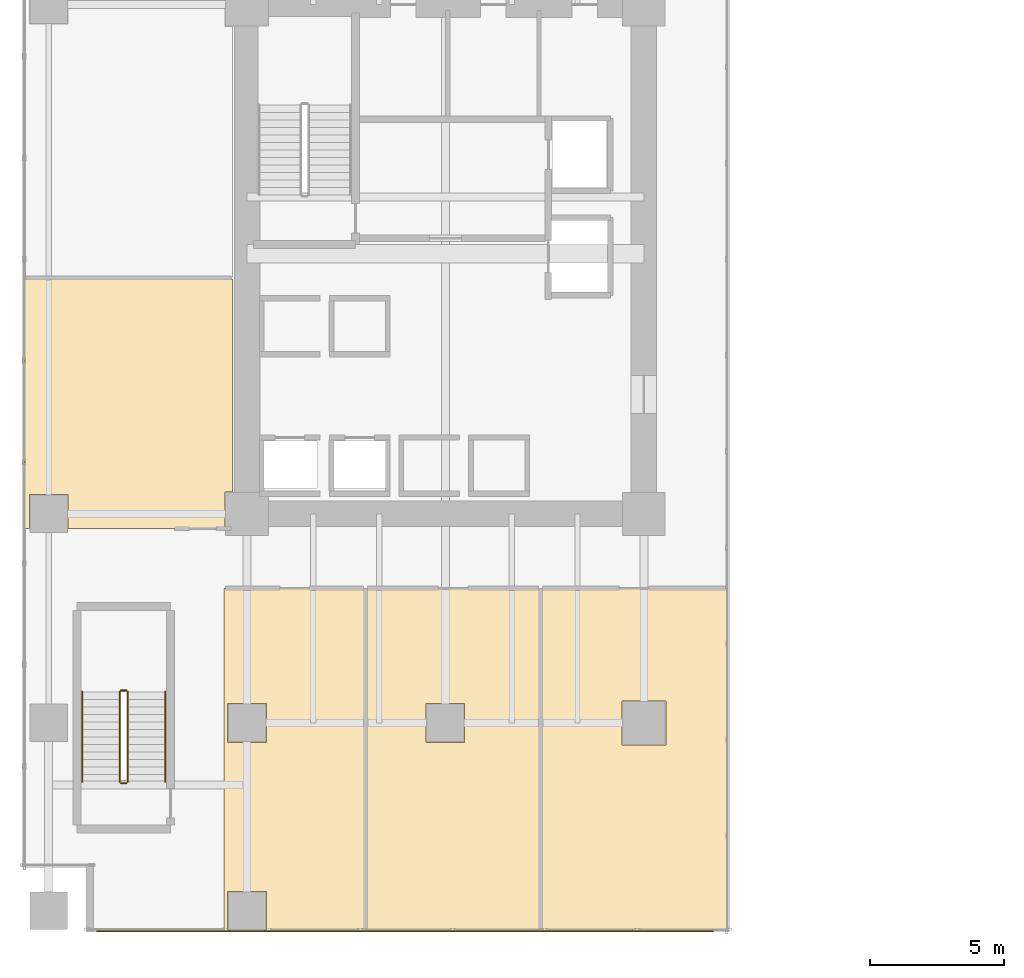
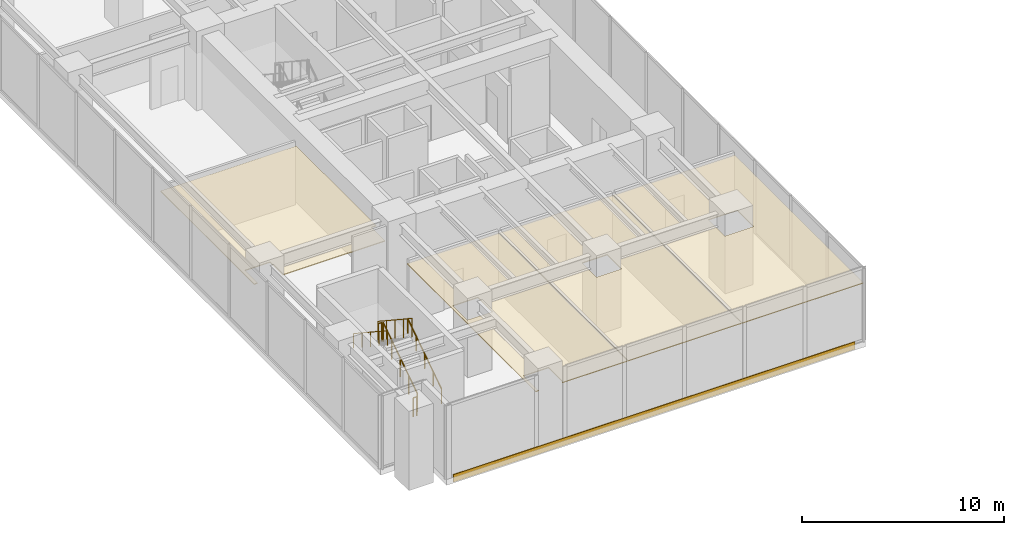
# One storey, part 29 of 33: 6 railings, 5 coverings.
"""IFC4 building model written with IfcOpenShell, lengths in metres."""

import ifcopenshell
import ifcopenshell.guid

model = None  # the IFC model being written
_history = None  # IfcOwnerHistory: only IFC2X3 demands one
_inside = {}  # id of a spatial element -> (the spatial element, [elements in it])
_under = {}  # id of a project, library or spatial element -> (it, [spatial elements below it])
_declared = {}  # id of a project -> (the project, [libraries it declares])
_typed = {}  # id of a type object -> (the type object, [elements of that type])
_made_of = {}  # id of a material, layer set ... -> (it, [elements and type objects made of it])


def new_model(schema):
    """Start an empty IFC model of exactly this schema.

    Asked for "IFC4X3", IfcOpenShell would pick the latest addendum, in which some entities
    have other attributes; the version numbers below select the first issue.
    IFC2X3 requires an IfcOwnerHistory on every rooted entity: one is made here for all.
    """
    global model, _history
    if schema == "IFC4X3":
        model = ifcopenshell.file(schema_version=(4, 3, 0, 0))
    else:
        model = ifcopenshell.file(schema=schema)
    _inside.clear()
    _under.clear()
    _declared.clear()
    _typed.clear()
    _made_of.clear()
    _history = None
    if model.schema == "IFC2X3":
        org = make("IfcOrganization", Name="unknown")
        user = make(
            "IfcPersonAndOrganization",
            ThePerson=make("IfcPerson", FamilyName="unknown"),
            TheOrganization=org,
        )
        app = make(
            "IfcApplication",
            ApplicationDeveloper=org,
            Version="unknown",
            ApplicationFullName="unknown",
            ApplicationIdentifier="unknown",
        )
        _history = make(
            "IfcOwnerHistory",
            OwningUser=user,
            OwningApplication=app,
            ChangeAction="ADDED",
            CreationDate=0,
        )
    return model


def make(cls, **values):
    """One entity of the class cls with the attributes given. An attribute that is None is left unset."""
    return model.create_entity(
        cls, **{name: value for name, value in values.items() if value is not None}
    )


def rooted(cls, **values):
    """An entity with a GlobalId (a new one), such as an element, a storey or a relation."""
    return make(cls, GlobalId=ifcopenshell.guid.new(), OwnerHistory=_history, **values)


def si_unit(unit_type, name, prefix=None):
    """IfcSIUnit, for example si_unit("LENGTHUNIT", "METRE", prefix="MILLI")."""
    return make("IfcSIUnit", UnitType=unit_type, Prefix=prefix, Name=name)


def assignment(units):
    """IfcUnitAssignment: the units of a project."""
    return None if units is None else make("IfcUnitAssignment", Units=units)


def point(xyz):
    """IfcCartesianPoint."""
    return None if xyz is None else make("IfcCartesianPoint", Coordinates=xyz)


def direction(xyz):
    """IfcDirection."""
    return None if xyz is None else make("IfcDirection", DirectionRatios=xyz)


def frame(location, z_axis=None, x_axis=None):
    """IfcAxis2Placement3D, a coordinate frame: its origin and axes. An axis left out is left unset."""
    return make(
        "IfcAxis2Placement3D",
        Location=point(location),
        Axis=direction(z_axis),
        RefDirection=direction(x_axis),
    )


def frame_2d(location, x_axis=None):
    """IfcAxis2Placement2D, a coordinate frame in the plane: its origin and x axis."""
    return make(
        "IfcAxis2Placement2D", Location=point(location), RefDirection=direction(x_axis)
    )


def origin():
    """The frame at (0, 0, 0) with its axes left unset."""
    return frame((0.0, 0.0, 0.0))


def origin_2d():
    """The frame at (0, 0) in the plane with its x axis left unset."""
    return frame_2d((0.0, 0.0))


def place(relative_to, where):
    """IfcLocalPlacement: puts the frame where relative to a parent placement (None: the world)."""
    return make(
        "IfcLocalPlacement", PlacementRelTo=relative_to, RelativePlacement=where
    )


def context(
    kind, dimensions, precision=None, world=None, true_north=None, identifier=None
):
    """IfcGeometricRepresentationContext, for example the 3D "Model" context."""
    return make(
        "IfcGeometricRepresentationContext",
        ContextIdentifier=identifier,
        ContextType=kind,
        CoordinateSpaceDimension=dimensions,
        Precision=precision,
        WorldCoordinateSystem=world,
        TrueNorth=true_north,
    )


def subcontext(parent, identifier, kind, view, scale=None):
    """IfcGeometricRepresentationSubContext, for example "Body" below "Model"."""
    return make(
        "IfcGeometricRepresentationSubContext",
        ContextIdentifier=identifier,
        ContextType=kind,
        ParentContext=parent,
        TargetScale=scale,
        TargetView=view,
    )


def project(units=None, contexts=None):
    """IfcProject with its units and contexts."""
    return rooted(
        "IfcProject",
        Name="project",
        RepresentationContexts=contexts,
        UnitsInContext=assignment(units),
    )


def spatial(cls, under=None, at=None, **own):
    """A site, building, storey or space (cls), placed at a placement, below another one or the project."""
    s = rooted(cls, ObjectPlacement=at, **own)
    if under is not None:
        _under.setdefault(under.id(), (under, []))[1].append(s)
    return s


def polyline(points):
    """IfcPolyline through the points."""
    return make("IfcPolyline", Points=[point(p) for p in points])


def profile(cls, at=None, kind="AREA", **sizes):
    """A parametric profile (cls). Its sizes go by their IFC names, for example OverallWidth=200.0."""
    return make(cls, ProfileType=kind, Position=at, **sizes)


def rectangle(**sizes):
    """IfcRectangleProfileDef."""
    return profile("IfcRectangleProfileDef", **sizes)


def circle(**sizes):
    """IfcCircleProfileDef."""
    return profile("IfcCircleProfileDef", **sizes)


def outline(outer, holes=None, kind="AREA"):
    """IfcArbitraryClosedProfileDef: a profile drawn as a closed curve; with holes, ...WithVoids."""
    if holes is None:
        return make("IfcArbitraryClosedProfileDef", ProfileType=kind, OuterCurve=outer)
    return make(
        "IfcArbitraryProfileDefWithVoids",
        ProfileType=kind,
        OuterCurve=outer,
        InnerCurves=holes,
    )


def extrude(swept, where, along, depth):
    """IfcExtrudedAreaSolid: the profile swept, set in the frame where, extruded along a direction by depth."""
    return make(
        "IfcExtrudedAreaSolid",
        SweptArea=swept,
        Position=where,
        ExtrudedDirection=direction(along),
        Depth=depth,
    )


def shape(context_of_items, identifier, shape_type, items):
    """IfcShapeRepresentation: the items that make up one representation, for example the "Body"."""
    return make(
        "IfcShapeRepresentation",
        ContextOfItems=context_of_items,
        RepresentationIdentifier=identifier,
        RepresentationType=shape_type,
        Items=items,
    )


def source(mapping_origin, context_of_items, identifier, shape_type, items):
    """IfcRepresentationMap: a shape defined once, which mapped items show again and again."""
    return make(
        "IfcRepresentationMap",
        MappingOrigin=mapping_origin,
        MappedRepresentation=shape(context_of_items, identifier, shape_type, items),
    )


def transform(
    local_origin,
    x_axis=None,
    y_axis=None,
    z_axis=None,
    scale=None,
    scale2=None,
    scale3=None,
    uniform=True,
):
    """IfcCartesianTransformationOperator3D, or its non-uniform kind. x_axis, y_axis, z_axis: its Axis1, 2, 3."""
    if uniform:
        return make(
            "IfcCartesianTransformationOperator3D",
            Axis1=direction(x_axis),
            Axis2=direction(y_axis),
            LocalOrigin=point(local_origin),
            Scale=scale,
            Axis3=direction(z_axis),
        )
    return make(
        "IfcCartesianTransformationOperator3DnonUniform",
        Axis1=direction(x_axis),
        Axis2=direction(y_axis),
        LocalOrigin=point(local_origin),
        Scale=scale,
        Axis3=direction(z_axis),
        Scale2=scale2,
        Scale3=scale3,
    )


def mapped(mapping_source, mapping_target):
    """IfcMappedItem: shows the shape of a source again, moved by a transform."""
    return make(
        "IfcMappedItem", MappingSource=mapping_source, MappingTarget=mapping_target
    )


def material(Name=None, Category=None):
    """IfcMaterial."""
    return make("IfcMaterial", Name=Name, Category=Category)


def layer(
    of_material, thickness, ventilated=None, Name=None, Category=None, Priority=None
):
    """IfcMaterialLayer: one layer of a wall or slab, of a material (None: an air gap)."""
    return make(
        "IfcMaterialLayer",
        Material=of_material,
        LayerThickness=thickness,
        IsVentilated=ventilated,
        Name=Name,
        Category=Category,
        Priority=Priority,
    )


def layer_set(layers, Name=None):
    """IfcMaterialLayerSet."""
    return make("IfcMaterialLayerSet", MaterialLayers=layers, LayerSetName=Name)


def made_of(thing, what):
    """Note that an element or type object is made of a material, layer set ...; save() writes the relation."""
    if what is not None:
        _made_of.setdefault(what.id(), (what, []))[1].append(thing)
    return thing


def type_object(cls, material=None, **own):
    """A type object (cls), such as IfcWallType, which elements share."""
    return made_of(rooted(cls, **own), material)


def type_shapes(of_type, sources):
    """Give a type object the sources (RepresentationMaps) that its elements show as mapped items."""
    of_type.RepresentationMaps = sources


def element(
    cls,
    number,
    at=None,
    inside=None,
    cuts=None,
    type_object=None,
    material=None,
    context=None,
    identifier="Body",
    shape_type=None,
    held_by="IfcProductDefinitionShape",
    body=None,
    shapes=None,
    **own,
):
    """One element of the class cls, such as IfcWall. Its Tag is "e" and its number.

    at: its placement. inside: the storey or other place that contains it. cuts: it is an
    opening in that element (IfcRelVoidsElement). A single representation is given by context,
    identifier, shape_type and body (its items); several are given by shapes. held_by: the class
    of the entity that holds the representations. save() writes the other relations.
    """
    e = rooted(cls, Tag="e%d" % number, ObjectPlacement=at, **own)
    if body is not None:
        shapes = [shape(context, identifier, shape_type, body)]
    if shapes is not None:
        e.Representation = make(held_by, Representations=shapes)
    if inside is not None:
        _inside.setdefault(inside.id(), (inside, []))[1].append(e)
    if cuts is not None:
        rooted(
            "IfcRelVoidsElement", RelatingBuildingElement=cuts, RelatedOpeningElement=e
        )
    if type_object is not None:
        _typed.setdefault(type_object.id(), (type_object, []))[1].append(e)
    return made_of(e, material)


def aggregate(whole, parts):
    """IfcRelAggregates: a whole, such as a stair, and the parts it consists of."""
    return rooted("IfcRelAggregates", RelatingObject=whole, RelatedObjects=parts)


def save(model, path):
    """Write the relations noted so far, then the file.

    IfcRelAggregates (storeys below a building ...), IfcRelContainedInSpatialStructure (elements
    in a storey), IfcRelDefinesByType, IfcRelAssociatesMaterial and IfcRelDeclares: one each for
    every whole, place, type object, material and project.
    """
    for whole, parts in _under.values():
        aggregate(whole, parts)
    for where, things in _inside.values():
        rooted(
            "IfcRelContainedInSpatialStructure",
            RelatedElements=things,
            RelatingStructure=where,
        )
    for kind, things in _typed.values():
        rooted("IfcRelDefinesByType", RelatedObjects=things, RelatingType=kind)
    for what, things in _made_of.values():
        rooted("IfcRelAssociatesMaterial", RelatedObjects=things, RelatingMaterial=what)
    for by, libraries in _declared.values():
        rooted("IfcRelDeclares", RelatingContext=by, RelatedDefinitions=libraries)
    model.write(path)


model = new_model("IFC4")

# Units and contexts
model_context = context("Model", 3, precision=1e-05, world=origin(), true_north=direction((0.0, 1.0)))
body_context = subcontext(model_context, "Body", "Model", "MODEL_VIEW")
ifc_project = project(units=[si_unit("LENGTHUNIT", "METRE"), si_unit("AREAUNIT", "SQUARE_METRE"), si_unit("VOLUMEUNIT", "CUBIC_METRE"), si_unit("PLANEANGLEUNIT", "RADIAN"), si_unit("MASSUNIT", "GRAM", prefix="KILO")], contexts=[model_context])

# Site, building, storey
site_placement = place(None, origin())
site = spatial("IfcSite", under=ifc_project, at=site_placement, CompositionType="ELEMENT")
building_placement = place(site_placement, origin())
building = spatial("IfcBuilding", under=site, at=building_placement, Name="Haelvirn Gate Laboratories", CompositionType="ELEMENT")
storey_placement = place(building_placement, frame((0.0, 0.0, 10.199951171875)))
storey = spatial("IfcBuildingStorey", under=building, at=storey_placement, Name="L03", CompositionType="ELEMENT", Elevation=10.199951171875)

# Coverings
ifc_material_1 = material(Name="Washable cleanroom gasketed aluminium ceiling", Category="aluminium")
ifc_layer_1 = layer(ifc_material_1, 0.050048828125, Name="COV-CEIL-CLN")
ifc_layer_set_1 = layer_set([ifc_layer_1], Name="Washable cleanroom gasketed aluminium ceiling")
covering_type_1 = type_object("IfcCoveringType", Name="COV-CEIL-CLN", PredefinedType="CEILING", material=ifc_layer_set_1)
covering_1_placement = place(storey_placement, frame((0.0, 0.0, 3.469970703125)))
element("IfcCovering", 1, at=covering_1_placement, inside=storey, type_object=covering_type_1, Name="L03 Laboratory Acoustic Ceiling CEIL-SP-L03-PODOUT-W-S", PredefinedType="CEILING", context=body_context, shape_type="SweptSolid", body=[
    extrude(outline(polyline([(-0.909912109375, 14.260009765625), (-0.909912109375, 23.56005859375), (6.860107421875, 23.56005859375), (6.860107421875, 15.6201171875), (6.580078125, 15.6201171875), (6.580078125, 14.260009765625), (0.719970703125, 14.260009765625), (0.719970703125, 15.52001953125), (-0.719970703125, 15.52001953125), (-0.719970703125, 14.260009765625), (-0.909912109375, 14.260009765625)])), origin(), (0.0, 0.0, 1.0), 0.050048828125),
])
covering_2_placement = place(storey_placement, frame((0.0, 0.0, 3.469970703125)))
element("IfcCovering", 2, at=covering_2_placement, inside=storey, type_object=covering_type_1, Name="L03 Laboratory Acoustic Ceiling CEIL-SP-L03-PODS-W-1", PredefinedType="CEILING", context=body_context, shape_type="SweptSolid", body=[
    extrude(outline(polyline([(8.06005859375, -0.719970703125), (8.1201171875, -0.719970703125), (8.1201171875, 0.719970703125), (6.679931640625, 0.719970703125), (6.679931640625, -0.719970703125), (6.739990234375, -0.719970703125), (6.739990234375, -0.739990234375), (6.5400390625, -0.739990234375), (6.5400390625, 12.02001953125), (11.802001953125, 12.02001953125), (11.802001953125, -0.739990234375), (8.06005859375, -0.739990234375), (8.06005859375, -0.719970703125)]), holes=[polyline([(6.679931640625, 7.719970703125), (6.679931640625, 6.280029296875), (8.1201171875, 6.280029296875), (8.1201171875, 7.719970703125), (6.679931640625, 7.719970703125)])]), origin(), (0.0, 0.0, 1.0), 0.050048828125),
])
covering_3_placement = place(storey_placement, frame((0.0, 0.0, 3.469970703125)))
element("IfcCovering", 3, at=covering_3_placement, inside=storey, type_object=covering_type_1, Name="L03 Laboratory Acoustic Ceiling CEIL-SP-L03-PODS-W-2", PredefinedType="CEILING", context=body_context, shape_type="SweptSolid", body=[
    extrude(outline(polyline([(18.32958984375, -0.739990234375), (11.842041015625, -0.739990234375), (11.842041015625, 12.02001953125), (18.32958984375, 12.02001953125), (18.32958984375, -0.739990234375)]), holes=[polyline([(15.52001953125, 7.719970703125), (14.080078125, 7.719970703125), (14.080078125, 6.280029296875), (15.52001953125, 6.280029296875), (15.52001953125, 7.719970703125)])]), origin(), (0.0, 0.0, 1.0), 0.050048828125),
])
covering_4_placement = place(storey_placement, frame((0.0, 0.0, 3.469970703125)))
element("IfcCovering", 4, at=covering_4_placement, inside=storey, type_object=covering_type_1, Name="L03 Laboratory Acoustic Ceiling CEIL-SP-L03-PODS-W-3", PredefinedType="CEILING", context=body_context, shape_type="SweptSolid", body=[
    extrude(outline(polyline([(25.31005859375, -0.739990234375), (18.369384765625, -0.739990234375), (18.369384765625, 12.02001953125), (25.31005859375, 12.02001953125), (25.31005859375, -0.739990234375)]), holes=[polyline([(23.02001953125, 7.820068359375), (21.3798828125, 7.820068359375), (21.3798828125, 6.179931640625), (23.02001953125, 6.179931640625), (23.02001953125, 7.820068359375)])]), origin(), (0.0, 0.0, 1.0), 0.050048828125),
])
ifc_material_2 = material(Name="Anodised bronze honeycomb aluminium spandrel cladding", Category="aluminium")
ifc_layer_2 = layer(ifc_material_2, 0.044921875, Name="COV-CLAD-BRZ")
ifc_layer_set_2 = layer_set([ifc_layer_2], Name="Anodised bronze honeycomb aluminium spandrel cladding")
covering_type_2 = type_object("IfcCoveringType", Name="COV-CLAD-BRZ", PredefinedType="CLADDING", material=ifc_layer_set_2)
covering_5_placement = place(storey_placement, frame((1.800048828125, -0.77001953125, -0.300048828125), z_axis=(0.0, 0.0, 1.0), x_axis=(1.0, 0.0, 0.0)))
element("IfcCovering", 5, at=covering_5_placement, inside=storey, type_object=covering_type_2, Name="L03 Bronze Slab-Edge Spandrel Cladding SW", PredefinedType="CLADDING", context=body_context, shape_type="SweptSolid", body=[
    extrude(rectangle(XDim=23.0, YDim=0.044921875, at=frame_2d((11.5, 0.0))), origin(), (0.0, 0.0, 1.0), 0.4501953125),
])

# Railings
ifc_material_3 = material(Name="Galvanised steel SM355 & stainless top rail", Category="steel")
railing_type_1 = type_object("IfcRailingType", Name="RL-GUARD-1150", PredefinedType="GUARDRAIL", material=ifc_material_3)
shared_shape_1 = source(origin(), body_context, "Body", "SweptSolid", [
    extrude(circle(Radius=0.02392578125, at=origin_2d()), frame((0.0, 0.0, 1.1259765625), z_axis=(-1.0, 0.0, 0.0), x_axis=(0.0, -1.0, 0.0)), (0.0, 0.0, 1.0), 0.199951171875),
    extrude(circle(Radius=0.02099609375, at=origin_2d()), origin(), (0.0, 0.0, 1.0), 1.101806640625),
    extrude(circle(Radius=0.02099609375, at=origin_2d()), frame((-0.199951171875, 0.0, 0.0)), (0.0, 0.0, 1.0), 1.101806640625),
])
for number, where, name in (
    (6, (2.89990234375, 8.2099609375, 2.400146484375), "L03 ST3 stair guard 2"),
    (7, (2.89990234375, 4.75, 0.0), "L03 ST3 stair guard 4"),
):
    element("IfcRailing", number, at=place(storey_placement, frame(where)), inside=storey, type_object=railing_type_1, Name=name, PredefinedType="GUARDRAIL", context=body_context, shape_type="MappedRepresentation", body=[
        mapped(shared_shape_1, transform((0.0, 0.0, 0.0), scale=1.0)),
    ])
shared_shape_2 = source(origin(), body_context, "Body", "SweptSolid", [
    extrude(circle(Radius=0.02392578125, at=origin_2d()), frame((0.0, 0.0, 1.1259765625), z_axis=(0.0, -0.834858096282, 0.550465220583), x_axis=(1.0, 0.0, 0.0)), (0.0, 0.0, 1.0), 4.0244140625),
    extrude(circle(Radius=0.02099609375, at=origin_2d()), origin(), (0.0, 0.0, 1.0), 1.101806640625),
    extrude(circle(Radius=0.02099609375, at=origin_2d()), frame((0.0, -0.83984375, 0.5537109375)), (0.0, 0.0, 1.0), 1.101806640625),
    extrude(circle(Radius=0.02099609375, at=origin_2d()), frame((0.0, -1.679931640625, 1.107666015625)), (0.0, 0.0, 1.0), 1.101806640625),
    extrude(circle(Radius=0.02099609375, at=origin_2d()), frame((0.0, -2.52001953125, 1.66162109375)), (0.0, 0.0, 1.0), 1.101806640625),
    extrude(circle(Radius=0.02099609375, at=origin_2d()), frame((0.0, -3.35986328125, 2.21533203125)), (0.0, 0.0, 1.0), 1.101806640625),
])
railing_1_placement = place(storey_placement, frame((2.64990234375, 8.159912109375, 2.584716796875)))
element("IfcRailing", 8, at=railing_1_placement, inside=storey, type_object=railing_type_1, Name="L03 ST3 stair guard 3", PredefinedType="GUARDRAIL", context=body_context, shape_type="MappedRepresentation", body=[
    mapped(shared_shape_2, transform((0.0, 0.0, 0.0), scale=1.0)),
])
ifc_material_4 = material(Name="Brushed stainless steel 316L", Category="steel")
railing_type_2 = type_object("IfcRailingType", Name="RL-HAND-920", PredefinedType="HANDRAIL", material=ifc_material_4)
shared_shape_3 = source(origin(), body_context, "Body", "SweptSolid", [
    extrude(circle(Radius=0.02392578125, at=origin_2d()), frame((0.0, 0.0, 0.8759765625), z_axis=(0.0, -0.834858096282, 0.550465220583), x_axis=(1.0, 0.0, 0.0)), (0.0, 0.0, 1.0), 4.0244140625),
    extrude(circle(Radius=0.02099609375, at=origin_2d()), origin(), (0.0, 0.0, 1.0), 0.851806640625),
    extrude(circle(Radius=0.02099609375, at=origin_2d()), frame((0.0, -0.83984375, 0.5537109375)), (0.0, 0.0, 1.0), 0.851806640625),
    extrude(circle(Radius=0.02099609375, at=origin_2d()), frame((0.0, -1.679931640625, 1.107666015625)), (0.0, 0.0, 1.0), 0.851806640625),
    extrude(circle(Radius=0.02099609375, at=origin_2d()), frame((0.0, -2.52001953125, 1.66162109375)), (0.0, 0.0, 1.0), 0.851806640625),
    extrude(circle(Radius=0.02099609375, at=origin_2d()), frame((0.0, -3.35986328125, 2.21533203125)), (0.0, 0.0, 1.0), 0.851806640625),
])
railing_2_placement = place(storey_placement, frame((1.25, 8.159912109375, 2.584716796875)))
element("IfcRailing", 9, at=railing_2_placement, inside=storey, type_object=railing_type_2, Name="L03 ST3 stair handrail 2", PredefinedType="HANDRAIL", context=body_context, shape_type="MappedRepresentation", body=[
    mapped(shared_shape_3, transform((0.0, 0.0, 0.0), scale=1.0)),
])
shared_shape_4 = source(origin(), body_context, "Body", "SweptSolid", [
    extrude(circle(Radius=0.02392578125, at=origin_2d()), frame((0.0, 0.0, 1.1259765625), z_axis=(0.0, 0.83483021737, 0.550507500554), x_axis=(-1.0, 0.0, 0.0)), (0.0, 0.0, 1.0), 4.024658203125),
    extrude(circle(Radius=0.02099609375, at=origin_2d()), origin(), (0.0, 0.0, 1.0), 1.101806640625),
    extrude(circle(Radius=0.02099609375, at=origin_2d()), frame((0.0, 0.83984375, 0.553955078125)), (0.0, 0.0, 1.0), 1.101806640625),
    extrude(circle(Radius=0.02099609375, at=origin_2d()), frame((0.0, 1.679931640625, 1.10791015625)), (0.0, 0.0, 1.0), 1.101806640625),
    extrude(circle(Radius=0.02099609375, at=origin_2d()), frame((0.0, 2.52001953125, 1.66162109375)), (0.0, 0.0, 1.0), 1.101806640625),
    extrude(circle(Radius=0.02099609375, at=origin_2d()), frame((0.0, 3.35986328125, 2.215576171875)), (0.0, 0.0, 1.0), 1.101806640625),
])
type_shapes(railing_type_1, [shared_shape_1, shared_shape_2, shared_shape_4])
railing_3_placement = place(storey_placement, frame((2.949951171875, 4.800048828125, 0.1845703125)))
element("IfcRailing", 10, at=railing_3_placement, inside=storey, type_object=railing_type_1, Name="L03 ST3 stair guard 1", PredefinedType="GUARDRAIL", context=body_context, shape_type="MappedRepresentation", body=[
    mapped(shared_shape_4, transform((0.0, 0.0, 0.0), scale=1.0)),
])
shared_shape_5 = source(origin(), body_context, "Body", "SweptSolid", [
    extrude(circle(Radius=0.02392578125, at=origin_2d()), frame((0.0, 0.0, 0.8759765625), z_axis=(0.0, 0.83483021737, 0.550507500554), x_axis=(-1.0, 0.0, 0.0)), (0.0, 0.0, 1.0), 4.024658203125),
    extrude(circle(Radius=0.02099609375, at=origin_2d()), origin(), (0.0, 0.0, 1.0), 0.851806640625),
    extrude(circle(Radius=0.02099609375, at=origin_2d()), frame((0.0, 0.83984375, 0.553955078125)), (0.0, 0.0, 1.0), 0.851806640625),
    extrude(circle(Radius=0.02099609375, at=origin_2d()), frame((0.0, 1.679931640625, 1.10791015625)), (0.0, 0.0, 1.0), 0.851806640625),
    extrude(circle(Radius=0.02099609375, at=origin_2d()), frame((0.0, 2.52001953125, 1.66162109375)), (0.0, 0.0, 1.0), 0.851806640625),
    extrude(circle(Radius=0.02099609375, at=origin_2d()), frame((0.0, 3.35986328125, 2.215576171875)), (0.0, 0.0, 1.0), 0.851806640625),
])
type_shapes(railing_type_2, [shared_shape_3, shared_shape_5])
railing_4_placement = place(storey_placement, frame((4.35009765625, 4.800048828125, 0.1845703125)))
element("IfcRailing", 11, at=railing_4_placement, inside=storey, type_object=railing_type_2, Name="L03 ST3 stair handrail 1", PredefinedType="HANDRAIL", context=body_context, shape_type="MappedRepresentation", body=[
    mapped(shared_shape_5, transform((0.0, 0.0, 0.0), scale=1.0)),
])

save(model, "model.ifc")
